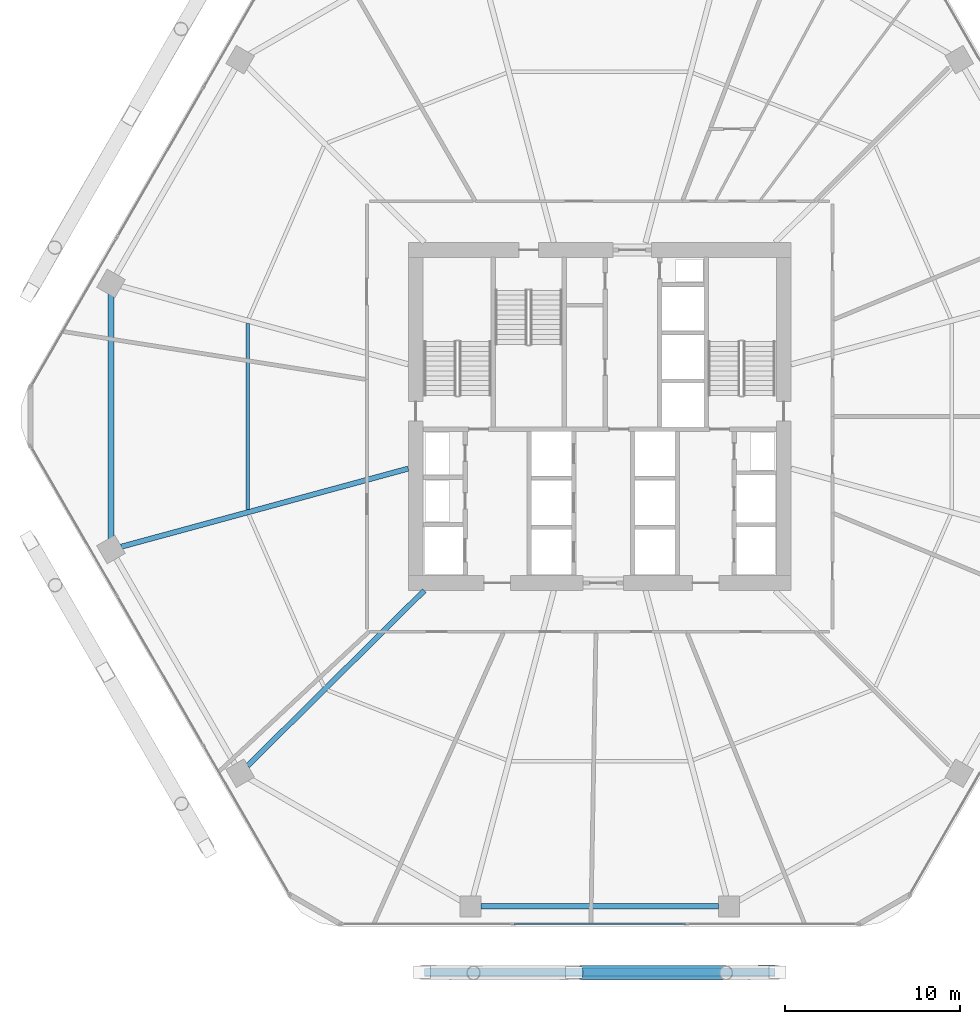
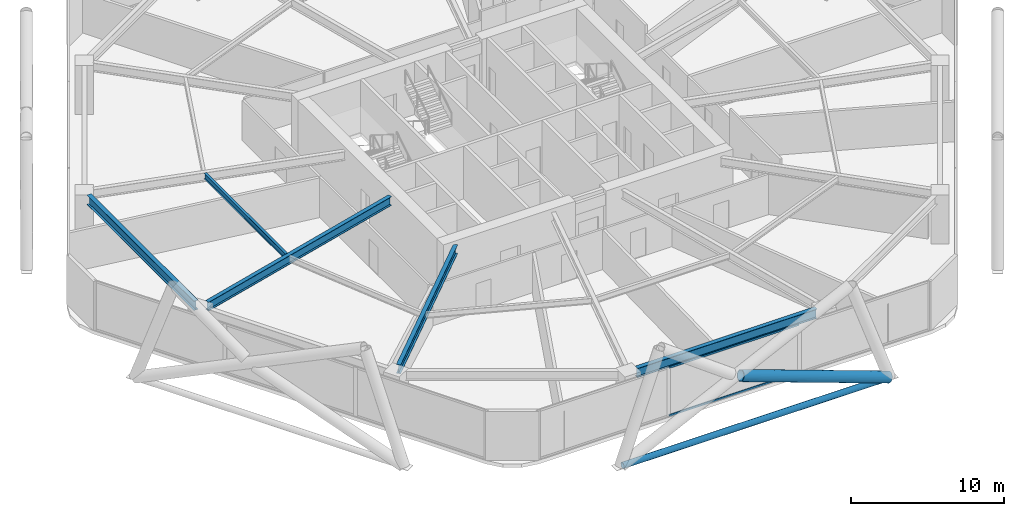
# One storey, part 6 of 28: 5 beams, 4 members, 1 element without a shape of its own.
"""IFC4 building model written with IfcOpenShell, lengths in metres."""

from ifc_helpers import new_model, si_unit, direction, frame, origin, origin_2d, place, context, subcontext, project, spatial, hollow_rectangle, hollow_circle, i_section, extrude, material, material_profile, profile_set, type_object, element, aggregate, save


model = new_model("IFC4")

# Units and contexts
model_context = context("Model", 3, precision=1e-05, world=origin(), true_north=direction((0.0, 1.0)))
body_context = subcontext(model_context, "Body", "Model", "MODEL_VIEW")
ifc_project = project(units=[si_unit("LENGTHUNIT", "METRE"), si_unit("AREAUNIT", "SQUARE_METRE"), si_unit("VOLUMEUNIT", "CUBIC_METRE"), si_unit("PLANEANGLEUNIT", "RADIAN"), si_unit("MASSUNIT", "GRAM", prefix="KILO")], contexts=[model_context])

# Site, building, storey
site_placement = place(None, origin())
site = spatial("IfcSite", under=ifc_project, at=site_placement, CompositionType="ELEMENT")
building_placement = place(site_placement, origin())
building = spatial("IfcBuilding", under=site, at=building_placement, Name="Zuhravey Tower", CompositionType="ELEMENT")
storey_placement = place(building_placement, frame((0.0, 0.0, 75.0)))
storey = spatial("IfcBuildingStorey", under=building, at=storey_placement, Name="L18", CompositionType="ELEMENT", Elevation=75.0)

# Curtain wall, members
ifc_material_1 = material(Name="Thermally broken anodised aluminium", Category="aluminium")
curtain_wall_type = type_object("IfcCurtainWallType", Name="School Low-E Unitised Curtain Wall CW1", PredefinedType="NOTDEFINED", material=ifc_material_1)
curtain_wall_placement = place(storey_placement, origin())
curtain_wall = element("IfcCurtainWall", 1, at=curtain_wall_placement, inside=storey, type_object=curtain_wall_type, Name="L18 CW1 CW-L18-F5-1", PredefinedType="NOTDEFINED")
ifc_material_2 = material(Name="Anodised aluminium", Category="aluminium")
ifc_material_profile_1 = material_profile(ifc_material_2, hollow_rectangle(XDim=0.090087890625, YDim=0.14990234375, WallThickness=0.0048828125, at=origin_2d()), Name="ALU-RHS-90x150x5")
ifc_profile_set_1 = profile_set([ifc_material_profile_1], Name="Anodised aluminium")
member_type_1 = type_object("IfcMemberType", Name="Curtain-Wall Transom 90x150", PredefinedType="USERDEFINED", material=ifc_profile_set_1)
member_1_placement = place(storey_placement, frame((40.88818359375, 3.04150390625, 0.044921875), z_axis=(-1.0, 0.0, 0.0), x_axis=(0.0, -1.0, 0.0)))
member_1 = element("IfcMember", 2, at=member_1_placement, type_object=member_type_1, Name="CW1 transom 2.1", ObjectType="TRANSOM", PredefinedType="USERDEFINED", context=body_context, shape_type="SweptSolid", body=[
    extrude(hollow_rectangle(XDim=0.090087890625, YDim=0.14990234375, WallThickness=0.0048828125, at=origin_2d()), origin(), (0.0, 0.0, 1.0), 9.7763671875),
])
member_2_placement = place(storey_placement, frame((40.88818359375, 3.04150390625, 3.875), z_axis=(-1.0, 0.0, 0.0), x_axis=(0.0, -1.0, 0.0)))
member_2 = element("IfcMember", 3, at=member_2_placement, type_object=member_type_1, Name="CW1 transom 2.2", ObjectType="TRANSOM", PredefinedType="USERDEFINED", context=body_context, shape_type="SweptSolid", body=[
    extrude(hollow_rectangle(XDim=0.090087890625, YDim=0.14990234375, WallThickness=0.0048828125, at=origin_2d()), origin(), (0.0, 0.0, 1.0), 9.7763671875),
])
aggregate(curtain_wall, [member_1, member_2])

# Members
ifc_material_3 = material(Name="Steel SM355", Category="steel")
ifc_material_profile_2 = material_profile(ifc_material_3, hollow_circle(Radius=0.228515625, WallThickness=0.02197265625, at=origin_2d()), Name="CHS-457.2x22")
ifc_profile_set_2 = profile_set([ifc_material_profile_2], Name="Steel SM355")
member_type_2 = type_object("IfcMemberType", Name="Exoskeleton Ring Tie CHS457x22", PredefinedType="CHORD", material=ifc_profile_set_2)
member_3_placement = place(storey_placement, frame((26.003173828125, 0.281494140625, -0.493896484375), z_axis=(1.0, 0.0, 0.0), x_axis=(0.0, 1.0, 0.0)))
element("IfcMember", 4, at=member_3_placement, inside=storey, type_object=member_type_2, Name="L18 Exoskeleton Face 5 Tie EXR1", PredefinedType="CHORD", context=body_context, shape_type="SweptSolid", body=[
    extrude(hollow_circle(Radius=0.228515625, WallThickness=0.02197265625, at=origin_2d()), origin(), (0.0, 0.0, 1.0), 19.99365234375),
])
ifc_material_4 = material(Name="Steel SM460", Category="steel")
ifc_material_profile_3 = material_profile(ifc_material_4, hollow_circle(Radius=0.406494140625, WallThickness=0.035888671875, at=origin_2d()), Name="CHS-812.8x36")
ifc_profile_set_3 = profile_set([ifc_material_profile_3], Name="Steel SM460")
member_type_3 = type_object("IfcMemberType", Name="Exoskeleton Zone 1 Diagrid CHS813x36", PredefinedType="BRACE", material=ifc_profile_set_3)
member_4_placement = place(storey_placement, frame((46.08935546875, 0.281494140625, -0.476806640625), z_axis=(-0.940345089755, -0.001210674296, 0.340219997122), x_axis=(0.001287477657, -0.9999991712, 0.0)))
element("IfcMember", 5, at=member_4_placement, inside=storey, type_object=member_type_3, Name="L18 Face 5 Split Diagrid Brace 3A", PredefinedType="BRACE", context=body_context, shape_type="SweptSolid", body=[
    extrude(hollow_circle(Radius=0.406494140625, WallThickness=0.035888671875, at=origin_2d()), origin(), (0.0, 0.0, 1.0), 11.897705078125),
])

# Beams
ifc_material_profile_4 = material_profile(ifc_material_3, i_section(OverallWidth=0.320068359375, OverallDepth=0.75, WebThickness=0.013916015625, FlangeThickness=0.02490234375, at=origin_2d()), Name="H-750x320x14x25")
ifc_profile_set_4 = profile_set([ifc_material_profile_4], Name="Steel SM355")
beam_type_1 = type_object("IfcBeamType", Name="Perimeter Ring Beam H750x320", PredefinedType="BEAM", material=ifc_profile_set_4)
beam_1_placement = place(storey_placement, frame((8.11083984375, 38.988525390625, 3.544921875), z_axis=(0.0, -1.0, 0.0), x_axis=(1.0, 0.0, 0.0)))
element("IfcBeam", 6, at=beam_1_placement, inside=storey, type_object=beam_type_1, Name="L18 PB1 BM-L18-PB-06", PredefinedType="BEAM", context=body_context, shape_type="SweptSolid", body=[
    extrude(i_section(OverallWidth=0.320068359375, OverallDepth=0.75, WebThickness=0.013916015625, FlangeThickness=0.02490234375, at=origin_2d()), origin(), (0.0, 0.0, 1.0), 13.97705078125),
])
beam_2_placement = place(storey_placement, frame((29.23291015625, 4.051513671875, 3.544921875), z_axis=(1.0, 0.0, 0.0), x_axis=(0.0, 1.0, 0.0)))
element("IfcBeam", 7, at=beam_2_placement, inside=storey, type_object=beam_type_1, Name="L18 PB1 BM-L18-PB-09", PredefinedType="BEAM", context=body_context, shape_type="SweptSolid", body=[
    extrude(i_section(OverallWidth=0.320068359375, OverallDepth=0.75, WebThickness=0.013916015625, FlangeThickness=0.02490234375, at=origin_2d()), origin(), (0.0, 0.0, 1.0), 13.5341796875),
])
ifc_material_profile_5 = material_profile(ifc_material_3, i_section(OverallWidth=0.300048828125, OverallDepth=0.699951171875, WebThickness=0.012939453125, FlangeThickness=0.02392578125, at=origin_2d()), Name="H-700x300x13x24")
ifc_profile_set_5 = profile_set([ifc_material_profile_5], Name="Steel SM355")
beam_type_2 = type_object("IfcBeamType", Name="Radial Primary Girder H700x300", PredefinedType="BEAM", material=ifc_profile_set_5)
beam_3_placement = place(storey_placement, frame((25.072021484375, 29.025390625, 3.570068359375), z_axis=(-0.964892480455, -0.26264520015, 0.0), x_axis=(0.26264520015, -0.964892480455, 0.0)))
element("IfcBeam", 8, at=beam_3_placement, inside=storey, type_object=beam_type_2, Name="L18 RG1 BM-L18-RAD-07", PredefinedType="BEAM", context=body_context, shape_type="SweptSolid", body=[
    extrude(i_section(OverallWidth=0.300048828125, OverallDepth=0.699951171875, WebThickness=0.012939453125, FlangeThickness=0.02392578125, at=origin_2d()), origin(), (0.0, 0.0, 1.0), 16.975341796875),
])
beam_4_placement = place(storey_placement, frame((25.992919921875, 22.072021484375, 3.570068359375), z_axis=(-0.709902823282, -0.704299639, 0.0), x_axis=(0.704299639, -0.709902823282, 0.0)))
element("IfcBeam", 9, at=beam_4_placement, inside=storey, type_object=beam_type_2, Name="L18 RG1 BM-L18-RAD-08", PredefinedType="BEAM", context=body_context, shape_type="SweptSolid", body=[
    extrude(i_section(OverallWidth=0.300048828125, OverallDepth=0.699951171875, WebThickness=0.012939453125, FlangeThickness=0.02392578125, at=origin_2d()), origin(), (0.0, 0.0, 1.0), 14.204345703125),
])
ifc_material_profile_6 = material_profile(ifc_material_3, i_section(OverallWidth=0.199951171875, OverallDepth=0.449951171875, WebThickness=0.009033203125, FlangeThickness=0.013916015625, at=origin_2d()), Name="H-450x200x9x14")
ifc_profile_set_6 = profile_set([ifc_material_profile_6], Name="Steel SM355")
beam_type_3 = type_object("IfcBeamType", Name="Secondary Floor Joist H450x200", PredefinedType="JOIST", material=ifc_profile_set_6)
beam_5_placement = place(storey_placement, frame((15.9130859375, 37.313720703125, 3.695068359375), z_axis=(0.0, -1.0, 0.0), x_axis=(1.0, 0.0, 0.0)))
element("IfcBeam", 10, at=beam_5_placement, inside=storey, type_object=beam_type_3, Name="L18 SJ1 BM-L18-SJ-06-1", PredefinedType="JOIST", context=body_context, shape_type="SweptSolid", body=[
    extrude(i_section(OverallWidth=0.199951171875, OverallDepth=0.449951171875, WebThickness=0.009033203125, FlangeThickness=0.013916015625, at=origin_2d()), origin(), (0.0, 0.0, 1.0), 10.62744140625),
])

save(model, "model.ifc")
